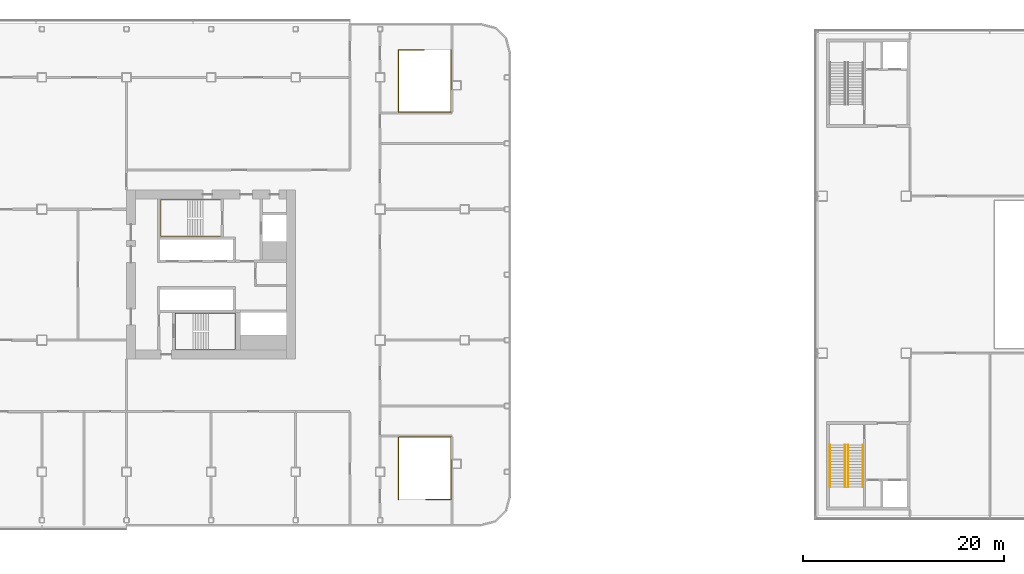
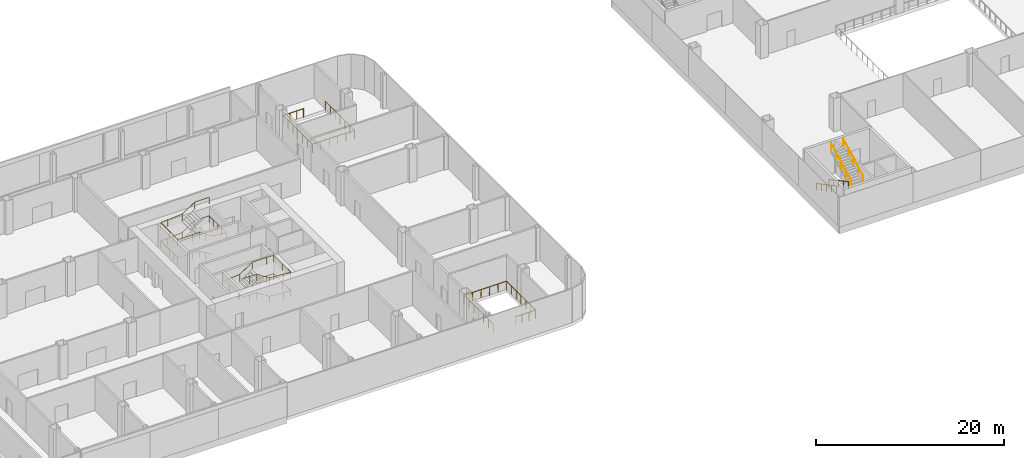
# One storey, part 52 of 53: 8 railings.
"""IFC4 building model written with IfcOpenShell, lengths in metres."""

from ifc_helpers import new_model, si_unit, direction, frame, origin, origin_2d, place, context, subcontext, project, spatial, circle, extrude, material, type_object, element, save


model = new_model("IFC4")

# Units and contexts
model_context = context("Model", 3, precision=1e-05, world=origin(), true_north=direction((0.0, 1.0)))
body_context = subcontext(model_context, "Body", "Model", "MODEL_VIEW")
ifc_project = project(units=[si_unit("LENGTHUNIT", "METRE"), si_unit("AREAUNIT", "SQUARE_METRE"), si_unit("VOLUMEUNIT", "CUBIC_METRE"), si_unit("PLANEANGLEUNIT", "RADIAN"), si_unit("MASSUNIT", "GRAM", prefix="KILO")], contexts=[model_context])

# Site, building, storey
site_placement = place(None, origin())
site = spatial("IfcSite", under=ifc_project, at=site_placement, CompositionType="ELEMENT")
building_placement = place(site_placement, origin())
building = spatial("IfcBuilding", under=site, at=building_placement, Name="Hakoniwa Tower and Hamabe Station Hall", CompositionType="ELEMENT")
storey_placement = place(building_placement, frame((0.0, 0.0, 15.0)))
storey = spatial("IfcBuildingStorey", under=building, at=storey_placement, Name="L03", CompositionType="ELEMENT", Elevation=15.0)

# Railings
ifc_material_1 = material(Name="Stainless steel and glass", Category="steel")
railing_type_1 = type_object("IfcRailingType", Name="GUARD 1100", PredefinedType="GUARDRAIL", material=ifc_material_1)
railing_1_placement = place(storey_placement, frame((46.35009765625, 22.340087890625, 0.0)))
element("IfcRailing", 1, at=railing_1_placement, inside=storey, type_object=railing_type_1, Name="Guard at stair well PS2", PredefinedType="GUARDRAIL", context=body_context, shape_type="SweptSolid", body=[
    extrude(circle(Radius=0.02392578125, at=origin_2d()), frame((0.0, 0.0, 1.076171875), z_axis=(-1.0, 0.0, 0.0), x_axis=(0.0, -1.0, 0.0)), (0.0, 0.0, 1.0), 2.5),
    extrude(circle(Radius=0.02392578125, at=origin_2d()), frame((-2.5, 0.0, 1.076171875), z_axis=(0.0, -1.0, 0.0), x_axis=(1.0, 0.0, 0.0)), (0.0, 0.0, 1.0), 6.190185546875),
    extrude(circle(Radius=0.02392578125, at=origin_2d()), frame((-2.5, -6.190185546875, 1.076171875), z_axis=(1.0, 0.0, 0.0), x_axis=(0.0, 1.0, 0.0)), (0.0, 0.0, 1.0), 5.199951171875),
    extrude(circle(Radius=0.02392578125, at=origin_2d()), frame((2.699951171875, -6.190185546875, 1.076171875), z_axis=(0.0, 1.0, 0.0), x_axis=(-1.0, 0.0, 0.0)), (0.0, 0.0, 1.0), 6.190185546875),
    extrude(circle(Radius=0.02099609375, at=origin_2d()), origin(), (0.0, 0.0, 1.0), 1.052001953125),
    extrude(circle(Radius=0.02099609375, at=origin_2d()), frame((-0.833251953125, 0.0, 0.0)), (0.0, 0.0, 1.0), 1.052001953125),
    extrude(circle(Radius=0.02099609375, at=origin_2d()), frame((-1.666748046875, 0.0, 0.0)), (0.0, 0.0, 1.0), 1.052001953125),
    extrude(circle(Radius=0.02099609375, at=origin_2d()), frame((-2.5, 0.0, 0.0)), (0.0, 0.0, 1.0), 1.052001953125),
    extrude(circle(Radius=0.02099609375, at=origin_2d()), frame((-2.5, -1.03173828125, 0.0)), (0.0, 0.0, 1.0), 1.052001953125),
    extrude(circle(Radius=0.02099609375, at=origin_2d()), frame((-2.5, -2.0634765625, 0.0)), (0.0, 0.0, 1.0), 1.052001953125),
    extrude(circle(Radius=0.02099609375, at=origin_2d()), frame((-2.5, -3.09521484375, 0.0)), (0.0, 0.0, 1.0), 1.052001953125),
    extrude(circle(Radius=0.02099609375, at=origin_2d()), frame((-2.5, -4.126708984375, 0.0)), (0.0, 0.0, 1.0), 1.052001953125),
    extrude(circle(Radius=0.02099609375, at=origin_2d()), frame((-2.5, -5.158447265625, 0.0)), (0.0, 0.0, 1.0), 1.052001953125),
    extrude(circle(Radius=0.02099609375, at=origin_2d()), frame((-2.5, -6.190185546875, 0.0)), (0.0, 0.0, 1.0), 1.052001953125),
    extrude(circle(Radius=0.02099609375, at=origin_2d()), frame((-1.4599609375, -6.190185546875, 0.0)), (0.0, 0.0, 1.0), 1.052001953125),
    extrude(circle(Radius=0.02099609375, at=origin_2d()), frame((-0.419921875, -6.190185546875, 0.0)), (0.0, 0.0, 1.0), 1.052001953125),
    extrude(circle(Radius=0.02099609375, at=origin_2d()), frame((0.619873046875, -6.190185546875, 0.0)), (0.0, 0.0, 1.0), 1.052001953125),
    extrude(circle(Radius=0.02099609375, at=origin_2d()), frame((1.659912109375, -6.190185546875, 0.0)), (0.0, 0.0, 1.0), 1.052001953125),
    extrude(circle(Radius=0.02099609375, at=origin_2d()), frame((2.699951171875, -6.190185546875, 0.0)), (0.0, 0.0, 1.0), 1.052001953125),
    extrude(circle(Radius=0.02099609375, at=origin_2d()), frame((2.699951171875, -5.158447265625, 0.0)), (0.0, 0.0, 1.0), 1.052001953125),
    extrude(circle(Radius=0.02099609375, at=origin_2d()), frame((2.699951171875, -4.126708984375, 0.0)), (0.0, 0.0, 1.0), 1.052001953125),
    extrude(circle(Radius=0.02099609375, at=origin_2d()), frame((2.699951171875, -3.09521484375, 0.0)), (0.0, 0.0, 1.0), 1.052001953125),
    extrude(circle(Radius=0.02099609375, at=origin_2d()), frame((2.699951171875, -2.0634765625, 0.0)), (0.0, 0.0, 1.0), 1.052001953125),
    extrude(circle(Radius=0.02099609375, at=origin_2d()), frame((2.699951171875, -1.03173828125, 0.0)), (0.0, 0.0, 1.0), 1.052001953125),
    extrude(circle(Radius=0.02099609375, at=origin_2d()), frame((2.699951171875, 0.0, 0.0)), (0.0, 0.0, 1.0), 1.052001953125),
])
railing_2_placement = place(storey_placement, frame((43.85009765625, -22.340087890625, 0.0)))
element("IfcRailing", 2, at=railing_2_placement, inside=storey, type_object=railing_type_1, Name="Guard at stair well PS3", PredefinedType="GUARDRAIL", context=body_context, shape_type="SweptSolid", body=[
    extrude(circle(Radius=0.02392578125, at=origin_2d()), frame((0.0, 0.0, 1.076171875), z_axis=(0.0, 1.0, 0.0), x_axis=(-1.0, 0.0, 0.0)), (0.0, 0.0, 1.0), 6.190185546875),
    extrude(circle(Radius=0.02392578125, at=origin_2d()), frame((0.0, 6.190185546875, 1.076171875), z_axis=(1.0, 0.0, 0.0), x_axis=(0.0, 1.0, 0.0)), (0.0, 0.0, 1.0), 5.199951171875),
    extrude(circle(Radius=0.02392578125, at=origin_2d()), frame((5.199951171875, 6.190185546875, 1.076171875), z_axis=(0.0, -1.0, 0.0), x_axis=(1.0, 0.0, 0.0)), (0.0, 0.0, 1.0), 6.190185546875),
    extrude(circle(Radius=0.02392578125, at=origin_2d()), frame((5.199951171875, 0.0, 1.076171875), z_axis=(-1.0, 0.0, 0.0), x_axis=(0.0, -1.0, 0.0)), (0.0, 0.0, 1.0), 2.5),
    extrude(circle(Radius=0.02099609375, at=origin_2d()), origin(), (0.0, 0.0, 1.0), 1.052001953125),
    extrude(circle(Radius=0.02099609375, at=origin_2d()), frame((0.0, 1.03173828125, 0.0)), (0.0, 0.0, 1.0), 1.052001953125),
    extrude(circle(Radius=0.02099609375, at=origin_2d()), frame((0.0, 2.0634765625, 0.0)), (0.0, 0.0, 1.0), 1.052001953125),
    extrude(circle(Radius=0.02099609375, at=origin_2d()), frame((0.0, 3.09521484375, 0.0)), (0.0, 0.0, 1.0), 1.052001953125),
    extrude(circle(Radius=0.02099609375, at=origin_2d()), frame((0.0, 4.126708984375, 0.0)), (0.0, 0.0, 1.0), 1.052001953125),
    extrude(circle(Radius=0.02099609375, at=origin_2d()), frame((0.0, 5.158447265625, 0.0)), (0.0, 0.0, 1.0), 1.052001953125),
    extrude(circle(Radius=0.02099609375, at=origin_2d()), frame((0.0, 6.190185546875, 0.0)), (0.0, 0.0, 1.0), 1.052001953125),
    extrude(circle(Radius=0.02099609375, at=origin_2d()), frame((1.0400390625, 6.190185546875, 0.0)), (0.0, 0.0, 1.0), 1.052001953125),
    extrude(circle(Radius=0.02099609375, at=origin_2d()), frame((2.080078125, 6.190185546875, 0.0)), (0.0, 0.0, 1.0), 1.052001953125),
    extrude(circle(Radius=0.02099609375, at=origin_2d()), frame((3.119873046875, 6.190185546875, 0.0)), (0.0, 0.0, 1.0), 1.052001953125),
    extrude(circle(Radius=0.02099609375, at=origin_2d()), frame((4.159912109375, 6.190185546875, 0.0)), (0.0, 0.0, 1.0), 1.052001953125),
    extrude(circle(Radius=0.02099609375, at=origin_2d()), frame((5.199951171875, 6.190185546875, 0.0)), (0.0, 0.0, 1.0), 1.052001953125),
    extrude(circle(Radius=0.02099609375, at=origin_2d()), frame((5.199951171875, 5.158447265625, 0.0)), (0.0, 0.0, 1.0), 1.052001953125),
    extrude(circle(Radius=0.02099609375, at=origin_2d()), frame((5.199951171875, 4.126708984375, 0.0)), (0.0, 0.0, 1.0), 1.052001953125),
    extrude(circle(Radius=0.02099609375, at=origin_2d()), frame((5.199951171875, 3.09521484375, 0.0)), (0.0, 0.0, 1.0), 1.052001953125),
    extrude(circle(Radius=0.02099609375, at=origin_2d()), frame((5.199951171875, 2.0634765625, 0.0)), (0.0, 0.0, 1.0), 1.052001953125),
    extrude(circle(Radius=0.02099609375, at=origin_2d()), frame((5.199951171875, 1.03173828125, 0.0)), (0.0, 0.0, 1.0), 1.052001953125),
    extrude(circle(Radius=0.02099609375, at=origin_2d()), frame((5.199951171875, 0.0, 0.0)), (0.0, 0.0, 1.0), 1.052001953125),
    extrude(circle(Radius=0.02099609375, at=origin_2d()), frame((4.36669921875, 0.0, 0.0)), (0.0, 0.0, 1.0), 1.052001953125),
    extrude(circle(Radius=0.02099609375, at=origin_2d()), frame((3.533203125, 0.0, 0.0)), (0.0, 0.0, 1.0), 1.052001953125),
    extrude(circle(Radius=0.02099609375, at=origin_2d()), frame((2.699951171875, 0.0, 0.0)), (0.0, 0.0, 1.0), 1.052001953125),
])
ifc_material_2 = material(Name="Stainless steel SUS304", Category="steel")
railing_type_2 = type_object("IfcRailingType", Name="HANDRAIL 900", PredefinedType="HANDRAIL", material=ifc_material_2)
for number, where, name in (
    (3, (86.699951171875, -16.89990234375, 0.14990234375), "Handrail SS3 1"),
    (4, (88.199951171875, -16.89990234375, 0.14990234375), "Handrail SS3 2"),
):
    element("IfcRailing", number, at=place(storey_placement, frame(where)), inside=storey, type_object=railing_type_2, Name=name, PredefinedType="HANDRAIL", context=body_context, shape_type="SweptSolid", body=[
        extrude(circle(Radius=0.02392578125, at=origin_2d()), frame((0.0, 0.0, 0.8759765625), z_axis=(0.0, -0.881489110341, 0.472204350203), x_axis=(1.0, 0.0, 0.0)), (0.0, 0.0, 1.0), 4.764892578125),
        extrude(circle(Radius=0.02099609375, at=origin_2d()), origin(), (0.0, 0.0, 1.0), 0.851806640625),
        extrude(circle(Radius=0.02099609375, at=origin_2d()), frame((0.0, -1.050048828125, 0.5625)), (0.0, 0.0, 1.0), 0.851806640625),
        extrude(circle(Radius=0.02099609375, at=origin_2d()), frame((0.0, -2.10009765625, 1.125)), (0.0, 0.0, 1.0), 0.851806640625),
        extrude(circle(Radius=0.02099609375, at=origin_2d()), frame((0.0, -3.150146484375, 1.6875)), (0.0, 0.0, 1.0), 0.851806640625),
        extrude(circle(Radius=0.02099609375, at=origin_2d()), frame((0.0, -4.2001953125, 2.25)), (0.0, 0.0, 1.0), 0.851806640625),
    ])
for number, where, name in (
    (5, (88.5, -21.10009765625, 2.550048828125), "Handrail SS3 3"),
    (6, (90.0, -21.10009765625, 2.550048828125), "Handrail SS3 4"),
):
    element("IfcRailing", number, at=place(storey_placement, frame(where)), inside=storey, type_object=railing_type_2, Name=name, PredefinedType="HANDRAIL", context=body_context, shape_type="SweptSolid", body=[
        extrude(circle(Radius=0.02392578125, at=origin_2d()), frame((0.0, 0.0, 0.8759765625), z_axis=(0.0, 0.881489110341, 0.472204350203), x_axis=(-1.0, 0.0, 0.0)), (0.0, 0.0, 1.0), 4.764892578125),
        extrude(circle(Radius=0.02099609375, at=origin_2d()), origin(), (0.0, 0.0, 1.0), 0.851806640625),
        extrude(circle(Radius=0.02099609375, at=origin_2d()), frame((0.0, 1.050048828125, 0.5625)), (0.0, 0.0, 1.0), 0.851806640625),
        extrude(circle(Radius=0.02099609375, at=origin_2d()), frame((0.0, 2.10009765625, 1.125)), (0.0, 0.0, 1.0), 0.851806640625),
        extrude(circle(Radius=0.02099609375, at=origin_2d()), frame((0.0, 3.150146484375, 1.6875)), (0.0, 0.0, 1.0), 0.851806640625),
        extrude(circle(Radius=0.02099609375, at=origin_2d()), frame((0.0, 4.2001953125, 2.25)), (0.0, 0.0, 1.0), 0.851806640625),
    ])
ifc_material_3 = material(Name="Stainless steel SUS304", Category="steel")
railing_type_3 = type_object("IfcRailingType", Name="STAIR HANDRAIL 900", PredefinedType="HANDRAIL", material=ifc_material_3)
railing_3_placement = place(storey_placement, frame((24.39990234375, 3.81005859375, 0.17138671875)))
element("IfcRailing", 7, at=railing_3_placement, inside=storey, type_object=railing_type_3, Name="Handrail ST-3 L03 1", PredefinedType="HANDRAIL", context=body_context, shape_type="SweptSolid", body=[
    extrude(circle(Radius=0.02392578125, at=origin_2d()), frame((0.0, 0.0, 0.8759765625), z_axis=(-0.834834009337, 0.0, 0.550501750092), x_axis=(0.0, -1.0, 0.0)), (0.0, 0.0, 1.0), 1.868408203125),
    extrude(circle(Radius=0.02392578125, at=origin_2d()), frame((-1.559814453125, 0.0, 1.904296875), z_axis=(-1.0, 0.0, 0.0), x_axis=(0.0, -1.0, 0.0)), (0.0, 0.0, 1.0), 2.630126953125),
    extrude(circle(Radius=0.02392578125, at=origin_2d()), frame((-4.18994140625, 0.0, 1.904296875), z_axis=(0.0, 1.0, 0.0), x_axis=(-1.0, 0.0, 0.0)), (0.0, 0.0, 1.0), 3.6298828125),
    extrude(circle(Radius=0.02392578125, at=origin_2d()), frame((-4.18994140625, 3.6298828125, 1.904296875), z_axis=(0.997883635266, 0.0, 0.065024998789), x_axis=(0.0, 1.0, 0.0)), (0.0, 0.0, 1.0), 2.6357421875),
    extrude(circle(Radius=0.02392578125, at=origin_2d()), frame((-1.559814453125, 3.6298828125, 2.07568359375), z_axis=(0.834834009337, 0.0, 0.550501750092), x_axis=(0.0, 1.0, 0.0)), (0.0, 0.0, 1.0), 1.868408203125),
    extrude(circle(Radius=0.02392578125, at=origin_2d()), frame((0.0, 3.6298828125, 3.1044921875), z_axis=(1.0, 0.0, 0.0), x_axis=(0.0, 1.0, 0.0)), (0.0, 0.0, 1.0), 1.739990234375),
    extrude(circle(Radius=0.02392578125, at=origin_2d()), frame((1.739990234375, 3.6298828125, 3.1044921875), z_axis=(0.0, -1.0, 0.0), x_axis=(1.0, 0.0, 0.0)), (0.0, 0.0, 1.0), 3.6298828125),
    extrude(circle(Radius=0.02392578125, at=origin_2d()), frame((1.739990234375, 0.0, 3.1044921875), z_axis=(-0.995170390322, 0.0, 0.098162590767), x_axis=(0.0, -1.0, 0.0)), (0.0, 0.0, 1.0), 1.74853515625),
    extrude(circle(Radius=0.02392578125, at=origin_2d()), frame((0.0, 0.0, 3.27587890625), z_axis=(-0.834834009337, 0.0, 0.550501750092), x_axis=(0.0, -1.0, 0.0)), (0.0, 0.0, 1.0), 1.868408203125),
    extrude(circle(Radius=0.02392578125, at=origin_2d()), frame((-1.559814453125, 0.0, 4.3046875), z_axis=(-1.0, 0.0, 0.0), x_axis=(0.0, -1.0, 0.0)), (0.0, 0.0, 1.0), 2.630126953125),
    extrude(circle(Radius=0.02392578125, at=origin_2d()), frame((-4.18994140625, 0.0, 4.3046875), z_axis=(0.0, 1.0, 0.0), x_axis=(-1.0, 0.0, 0.0)), (0.0, 0.0, 1.0), 3.6298828125),
    extrude(circle(Radius=0.02392578125, at=origin_2d()), frame((-4.18994140625, 3.6298828125, 4.3046875), z_axis=(0.997883635266, 0.0, 0.065024998789), x_axis=(0.0, 1.0, 0.0)), (0.0, 0.0, 1.0), 2.6357421875),
    extrude(circle(Radius=0.02392578125, at=origin_2d()), frame((-1.559814453125, 3.6298828125, 4.47607421875), z_axis=(0.834834009337, 0.0, 0.550501750092), x_axis=(0.0, 1.0, 0.0)), (0.0, 0.0, 1.0), 1.868408203125),
    extrude(circle(Radius=0.02392578125, at=origin_2d()), frame((0.0, 3.6298828125, 5.50439453125), z_axis=(1.0, 0.0, 0.0), x_axis=(0.0, 1.0, 0.0)), (0.0, 0.0, 1.0), 1.739990234375),
    extrude(circle(Radius=0.02099609375, at=origin_2d()), origin(), (0.0, 0.0, 1.0), 0.851806640625),
    extrude(circle(Radius=0.02099609375, at=origin_2d()), frame((-0.77978515625, 0.0, 0.51416015625)), (0.0, 0.0, 1.0), 0.851806640625),
    extrude(circle(Radius=0.02099609375, at=origin_2d()), frame((-1.559814453125, 0.0, 1.028564453125)), (0.0, 0.0, 1.0), 0.851806640625),
    extrude(circle(Radius=0.02099609375, at=origin_2d()), frame((-2.4365234375, 0.0, 1.028564453125)), (0.0, 0.0, 1.0), 0.851806640625),
    extrude(circle(Radius=0.02099609375, at=origin_2d()), frame((-3.313232421875, 0.0, 1.028564453125)), (0.0, 0.0, 1.0), 0.851806640625),
    extrude(circle(Radius=0.02099609375, at=origin_2d()), frame((-4.18994140625, 0.0, 1.028564453125)), (0.0, 0.0, 1.0), 0.851806640625),
    extrude(circle(Radius=0.02099609375, at=origin_2d()), frame((-4.18994140625, 0.907470703125, 1.028564453125)), (0.0, 0.0, 1.0), 0.851806640625),
    extrude(circle(Radius=0.02099609375, at=origin_2d()), frame((-4.18994140625, 1.81494140625, 1.028564453125)), (0.0, 0.0, 1.0), 0.851806640625),
    extrude(circle(Radius=0.02099609375, at=origin_2d()), frame((-4.18994140625, 2.722412109375, 1.028564453125)), (0.0, 0.0, 1.0), 0.851806640625),
    extrude(circle(Radius=0.02099609375, at=origin_2d()), frame((-4.18994140625, 3.6298828125, 1.028564453125)), (0.0, 0.0, 1.0), 0.851806640625),
    extrude(circle(Radius=0.02099609375, at=origin_2d()), frame((-3.313232421875, 3.6298828125, 1.085693359375)), (0.0, 0.0, 1.0), 0.851806640625),
    extrude(circle(Radius=0.02099609375, at=origin_2d()), frame((-2.4365234375, 3.6298828125, 1.142822265625)), (0.0, 0.0, 1.0), 0.851806640625),
    extrude(circle(Radius=0.02099609375, at=origin_2d()), frame((-1.559814453125, 3.6298828125, 1.199951171875)), (0.0, 0.0, 1.0), 0.851806640625),
    extrude(circle(Radius=0.02099609375, at=origin_2d()), frame((-0.77978515625, 3.6298828125, 1.71435546875)), (0.0, 0.0, 1.0), 0.851806640625),
    extrude(circle(Radius=0.02099609375, at=origin_2d()), frame((0.0, 3.6298828125, 2.228515625)), (0.0, 0.0, 1.0), 0.851806640625),
    extrude(circle(Radius=0.02099609375, at=origin_2d()), frame((0.8701171875, 3.6298828125, 2.228515625)), (0.0, 0.0, 1.0), 0.851806640625),
    extrude(circle(Radius=0.02099609375, at=origin_2d()), frame((1.739990234375, 3.6298828125, 2.228515625)), (0.0, 0.0, 1.0), 0.851806640625),
    extrude(circle(Radius=0.02099609375, at=origin_2d()), frame((1.739990234375, 2.722412109375, 2.228515625)), (0.0, 0.0, 1.0), 0.851806640625),
    extrude(circle(Radius=0.02099609375, at=origin_2d()), frame((1.739990234375, 1.81494140625, 2.228515625)), (0.0, 0.0, 1.0), 0.851806640625),
    extrude(circle(Radius=0.02099609375, at=origin_2d()), frame((1.739990234375, 0.907470703125, 2.228515625)), (0.0, 0.0, 1.0), 0.851806640625),
    extrude(circle(Radius=0.02099609375, at=origin_2d()), frame((1.739990234375, 0.0, 2.228515625)), (0.0, 0.0, 1.0), 0.851806640625),
    extrude(circle(Radius=0.02099609375, at=origin_2d()), frame((0.8701171875, 0.0, 2.314453125)), (0.0, 0.0, 1.0), 0.851806640625),
    extrude(circle(Radius=0.02099609375, at=origin_2d()), frame((0.0, 0.0, 2.400146484375)), (0.0, 0.0, 1.0), 0.851806640625),
    extrude(circle(Radius=0.02099609375, at=origin_2d()), frame((-0.77978515625, 0.0, 2.91455078125)), (0.0, 0.0, 1.0), 0.851806640625),
    extrude(circle(Radius=0.02099609375, at=origin_2d()), frame((-1.559814453125, 0.0, 3.4287109375)), (0.0, 0.0, 1.0), 0.851806640625),
    extrude(circle(Radius=0.02099609375, at=origin_2d()), frame((-2.4365234375, 0.0, 3.4287109375)), (0.0, 0.0, 1.0), 0.851806640625),
    extrude(circle(Radius=0.02099609375, at=origin_2d()), frame((-3.313232421875, 0.0, 3.4287109375)), (0.0, 0.0, 1.0), 0.851806640625),
    extrude(circle(Radius=0.02099609375, at=origin_2d()), frame((-4.18994140625, 0.0, 3.4287109375)), (0.0, 0.0, 1.0), 0.851806640625),
    extrude(circle(Radius=0.02099609375, at=origin_2d()), frame((-4.18994140625, 0.907470703125, 3.4287109375)), (0.0, 0.0, 1.0), 0.851806640625),
    extrude(circle(Radius=0.02099609375, at=origin_2d()), frame((-4.18994140625, 1.81494140625, 3.4287109375)), (0.0, 0.0, 1.0), 0.851806640625),
    extrude(circle(Radius=0.02099609375, at=origin_2d()), frame((-4.18994140625, 2.722412109375, 3.4287109375)), (0.0, 0.0, 1.0), 0.851806640625),
    extrude(circle(Radius=0.02099609375, at=origin_2d()), frame((-4.18994140625, 3.6298828125, 3.4287109375)), (0.0, 0.0, 1.0), 0.851806640625),
    extrude(circle(Radius=0.02099609375, at=origin_2d()), frame((-3.313232421875, 3.6298828125, 3.48583984375)), (0.0, 0.0, 1.0), 0.851806640625),
    extrude(circle(Radius=0.02099609375, at=origin_2d()), frame((-2.4365234375, 3.6298828125, 3.54296875)), (0.0, 0.0, 1.0), 0.851806640625),
    extrude(circle(Radius=0.02099609375, at=origin_2d()), frame((-1.559814453125, 3.6298828125, 3.60009765625)), (0.0, 0.0, 1.0), 0.851806640625),
    extrude(circle(Radius=0.02099609375, at=origin_2d()), frame((-0.77978515625, 3.6298828125, 4.1142578125)), (0.0, 0.0, 1.0), 0.851806640625),
    extrude(circle(Radius=0.02099609375, at=origin_2d()), frame((0.0, 3.6298828125, 4.628662109375)), (0.0, 0.0, 1.0), 0.851806640625),
    extrude(circle(Radius=0.02099609375, at=origin_2d()), frame((0.8701171875, 3.6298828125, 4.628662109375)), (0.0, 0.0, 1.0), 0.851806640625),
    extrude(circle(Radius=0.02099609375, at=origin_2d()), frame((1.739990234375, 3.6298828125, 4.628662109375)), (0.0, 0.0, 1.0), 0.851806640625),
])
railing_4_placement = place(storey_placement, frame((23.39990234375, -3.81005859375, 0.17138671875)))
element("IfcRailing", 8, at=railing_4_placement, inside=storey, type_object=railing_type_3, Name="Handrail ST-4 L03 1", PredefinedType="HANDRAIL", context=body_context, shape_type="SweptSolid", body=[
    extrude(circle(Radius=0.02392578125, at=origin_2d()), frame((0.0, 0.0, 0.8759765625), z_axis=(0.834873601898, 0.0, 0.550441703411), x_axis=(0.0, 1.0, 0.0)), (0.0, 0.0, 1.0), 1.86865234375),
    extrude(circle(Radius=0.02392578125, at=origin_2d()), frame((1.56005859375, 0.0, 1.904296875), z_axis=(1.0, 0.0, 0.0), x_axis=(0.0, 1.0, 0.0)), (0.0, 0.0, 1.0), 2.630126953125),
    extrude(circle(Radius=0.02392578125, at=origin_2d()), frame((4.190185546875, 0.0, 1.904296875), z_axis=(0.0, -1.0, 0.0), x_axis=(1.0, 0.0, 0.0)), (0.0, 0.0, 1.0), 3.6298828125),
    extrude(circle(Radius=0.02392578125, at=origin_2d()), frame((4.190185546875, -3.6298828125, 1.904296875), z_axis=(-0.997883635266, 0.0, 0.065024998789), x_axis=(0.0, -1.0, 0.0)), (0.0, 0.0, 1.0), 2.6357421875),
    extrude(circle(Radius=0.02392578125, at=origin_2d()), frame((1.56005859375, -3.6298828125, 2.07568359375), z_axis=(-0.834873601898, 0.0, 0.550441703411), x_axis=(0.0, -1.0, 0.0)), (0.0, 0.0, 1.0), 1.86865234375),
    extrude(circle(Radius=0.02392578125, at=origin_2d()), frame((0.0, -3.6298828125, 3.1044921875), z_axis=(-1.0, 0.0, 0.0), x_axis=(0.0, -1.0, 0.0)), (0.0, 0.0, 1.0), 1.739990234375),
    extrude(circle(Radius=0.02392578125, at=origin_2d()), frame((-1.739990234375, -3.6298828125, 3.1044921875), z_axis=(0.0, 1.0, 0.0), x_axis=(-1.0, 0.0, 0.0)), (0.0, 0.0, 1.0), 3.6298828125),
    extrude(circle(Radius=0.02392578125, at=origin_2d()), frame((-1.739990234375, 0.0, 3.1044921875), z_axis=(0.995170390322, 0.0, 0.098162590767), x_axis=(0.0, 1.0, 0.0)), (0.0, 0.0, 1.0), 1.74853515625),
    extrude(circle(Radius=0.02392578125, at=origin_2d()), frame((0.0, 0.0, 3.27587890625), z_axis=(0.834873601898, 0.0, 0.550441703411), x_axis=(0.0, 1.0, 0.0)), (0.0, 0.0, 1.0), 1.86865234375),
    extrude(circle(Radius=0.02392578125, at=origin_2d()), frame((1.56005859375, 0.0, 4.3046875), z_axis=(1.0, 0.0, 0.0), x_axis=(0.0, 1.0, 0.0)), (0.0, 0.0, 1.0), 2.630126953125),
    extrude(circle(Radius=0.02392578125, at=origin_2d()), frame((4.190185546875, 0.0, 4.3046875), z_axis=(0.0, -1.0, 0.0), x_axis=(1.0, 0.0, 0.0)), (0.0, 0.0, 1.0), 3.6298828125),
    extrude(circle(Radius=0.02392578125, at=origin_2d()), frame((4.190185546875, -3.6298828125, 4.3046875), z_axis=(-0.997883635266, 0.0, 0.065024998789), x_axis=(0.0, -1.0, 0.0)), (0.0, 0.0, 1.0), 2.6357421875),
    extrude(circle(Radius=0.02392578125, at=origin_2d()), frame((1.56005859375, -3.6298828125, 4.47607421875), z_axis=(-0.834873601898, 0.0, 0.550441703411), x_axis=(0.0, -1.0, 0.0)), (0.0, 0.0, 1.0), 1.86865234375),
    extrude(circle(Radius=0.02392578125, at=origin_2d()), frame((0.0, -3.6298828125, 5.50439453125), z_axis=(-1.0, 0.0, 0.0), x_axis=(0.0, -1.0, 0.0)), (0.0, 0.0, 1.0), 1.739990234375),
    extrude(circle(Radius=0.02099609375, at=origin_2d()), origin(), (0.0, 0.0, 1.0), 0.851806640625),
    extrude(circle(Radius=0.02099609375, at=origin_2d()), frame((0.780029296875, 0.0, 0.51416015625)), (0.0, 0.0, 1.0), 0.851806640625),
    extrude(circle(Radius=0.02099609375, at=origin_2d()), frame((1.56005859375, 0.0, 1.028564453125)), (0.0, 0.0, 1.0), 0.851806640625),
    extrude(circle(Radius=0.02099609375, at=origin_2d()), frame((2.436767578125, 0.0, 1.028564453125)), (0.0, 0.0, 1.0), 0.851806640625),
    extrude(circle(Radius=0.02099609375, at=origin_2d()), frame((3.3134765625, 0.0, 1.028564453125)), (0.0, 0.0, 1.0), 0.851806640625),
    extrude(circle(Radius=0.02099609375, at=origin_2d()), frame((4.190185546875, 0.0, 1.028564453125)), (0.0, 0.0, 1.0), 0.851806640625),
    extrude(circle(Radius=0.02099609375, at=origin_2d()), frame((4.190185546875, -0.907470703125, 1.028564453125)), (0.0, 0.0, 1.0), 0.851806640625),
    extrude(circle(Radius=0.02099609375, at=origin_2d()), frame((4.190185546875, -1.81494140625, 1.028564453125)), (0.0, 0.0, 1.0), 0.851806640625),
    extrude(circle(Radius=0.02099609375, at=origin_2d()), frame((4.190185546875, -2.722412109375, 1.028564453125)), (0.0, 0.0, 1.0), 0.851806640625),
    extrude(circle(Radius=0.02099609375, at=origin_2d()), frame((4.190185546875, -3.6298828125, 1.028564453125)), (0.0, 0.0, 1.0), 0.851806640625),
    extrude(circle(Radius=0.02099609375, at=origin_2d()), frame((3.3134765625, -3.6298828125, 1.085693359375)), (0.0, 0.0, 1.0), 0.851806640625),
    extrude(circle(Radius=0.02099609375, at=origin_2d()), frame((2.436767578125, -3.6298828125, 1.142822265625)), (0.0, 0.0, 1.0), 0.851806640625),
    extrude(circle(Radius=0.02099609375, at=origin_2d()), frame((1.56005859375, -3.6298828125, 1.199951171875)), (0.0, 0.0, 1.0), 0.851806640625),
    extrude(circle(Radius=0.02099609375, at=origin_2d()), frame((0.780029296875, -3.6298828125, 1.71435546875)), (0.0, 0.0, 1.0), 0.851806640625),
    extrude(circle(Radius=0.02099609375, at=origin_2d()), frame((0.0, -3.6298828125, 2.228515625)), (0.0, 0.0, 1.0), 0.851806640625),
    extrude(circle(Radius=0.02099609375, at=origin_2d()), frame((-0.8701171875, -3.6298828125, 2.228515625)), (0.0, 0.0, 1.0), 0.851806640625),
    extrude(circle(Radius=0.02099609375, at=origin_2d()), frame((-1.739990234375, -3.6298828125, 2.228515625)), (0.0, 0.0, 1.0), 0.851806640625),
    extrude(circle(Radius=0.02099609375, at=origin_2d()), frame((-1.739990234375, -2.722412109375, 2.228515625)), (0.0, 0.0, 1.0), 0.851806640625),
    extrude(circle(Radius=0.02099609375, at=origin_2d()), frame((-1.739990234375, -1.81494140625, 2.228515625)), (0.0, 0.0, 1.0), 0.851806640625),
    extrude(circle(Radius=0.02099609375, at=origin_2d()), frame((-1.739990234375, -0.907470703125, 2.228515625)), (0.0, 0.0, 1.0), 0.851806640625),
    extrude(circle(Radius=0.02099609375, at=origin_2d()), frame((-1.739990234375, 0.0, 2.228515625)), (0.0, 0.0, 1.0), 0.851806640625),
    extrude(circle(Radius=0.02099609375, at=origin_2d()), frame((-0.8701171875, 0.0, 2.314453125)), (0.0, 0.0, 1.0), 0.851806640625),
    extrude(circle(Radius=0.02099609375, at=origin_2d()), frame((0.0, 0.0, 2.400146484375)), (0.0, 0.0, 1.0), 0.851806640625),
    extrude(circle(Radius=0.02099609375, at=origin_2d()), frame((0.780029296875, 0.0, 2.91455078125)), (0.0, 0.0, 1.0), 0.851806640625),
    extrude(circle(Radius=0.02099609375, at=origin_2d()), frame((1.56005859375, 0.0, 3.4287109375)), (0.0, 0.0, 1.0), 0.851806640625),
    extrude(circle(Radius=0.02099609375, at=origin_2d()), frame((2.436767578125, 0.0, 3.4287109375)), (0.0, 0.0, 1.0), 0.851806640625),
    extrude(circle(Radius=0.02099609375, at=origin_2d()), frame((3.3134765625, 0.0, 3.4287109375)), (0.0, 0.0, 1.0), 0.851806640625),
    extrude(circle(Radius=0.02099609375, at=origin_2d()), frame((4.190185546875, 0.0, 3.4287109375)), (0.0, 0.0, 1.0), 0.851806640625),
    extrude(circle(Radius=0.02099609375, at=origin_2d()), frame((4.190185546875, -0.907470703125, 3.4287109375)), (0.0, 0.0, 1.0), 0.851806640625),
    extrude(circle(Radius=0.02099609375, at=origin_2d()), frame((4.190185546875, -1.81494140625, 3.4287109375)), (0.0, 0.0, 1.0), 0.851806640625),
    extrude(circle(Radius=0.02099609375, at=origin_2d()), frame((4.190185546875, -2.722412109375, 3.4287109375)), (0.0, 0.0, 1.0), 0.851806640625),
    extrude(circle(Radius=0.02099609375, at=origin_2d()), frame((4.190185546875, -3.6298828125, 3.4287109375)), (0.0, 0.0, 1.0), 0.851806640625),
    extrude(circle(Radius=0.02099609375, at=origin_2d()), frame((3.3134765625, -3.6298828125, 3.48583984375)), (0.0, 0.0, 1.0), 0.851806640625),
    extrude(circle(Radius=0.02099609375, at=origin_2d()), frame((2.436767578125, -3.6298828125, 3.54296875)), (0.0, 0.0, 1.0), 0.851806640625),
    extrude(circle(Radius=0.02099609375, at=origin_2d()), frame((1.56005859375, -3.6298828125, 3.60009765625)), (0.0, 0.0, 1.0), 0.851806640625),
    extrude(circle(Radius=0.02099609375, at=origin_2d()), frame((0.780029296875, -3.6298828125, 4.1142578125)), (0.0, 0.0, 1.0), 0.851806640625),
    extrude(circle(Radius=0.02099609375, at=origin_2d()), frame((0.0, -3.6298828125, 4.628662109375)), (0.0, 0.0, 1.0), 0.851806640625),
    extrude(circle(Radius=0.02099609375, at=origin_2d()), frame((-0.8701171875, -3.6298828125, 4.628662109375)), (0.0, 0.0, 1.0), 0.851806640625),
    extrude(circle(Radius=0.02099609375, at=origin_2d()), frame((-1.739990234375, -3.6298828125, 4.628662109375)), (0.0, 0.0, 1.0), 0.851806640625),
])

save(model, "model.ifc")
